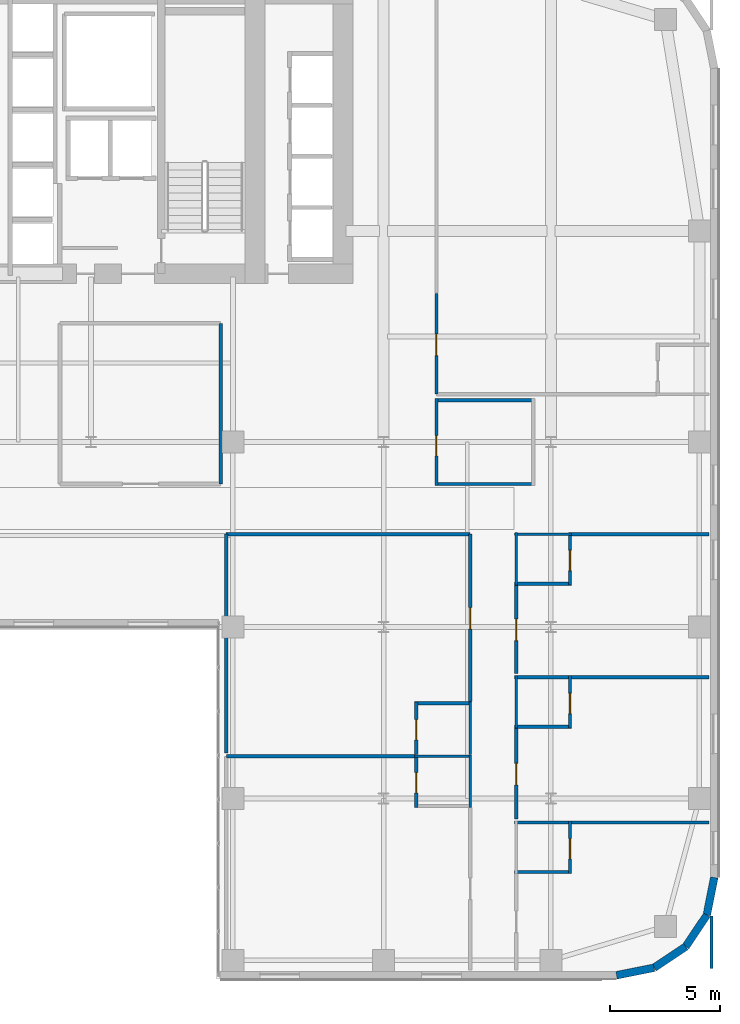
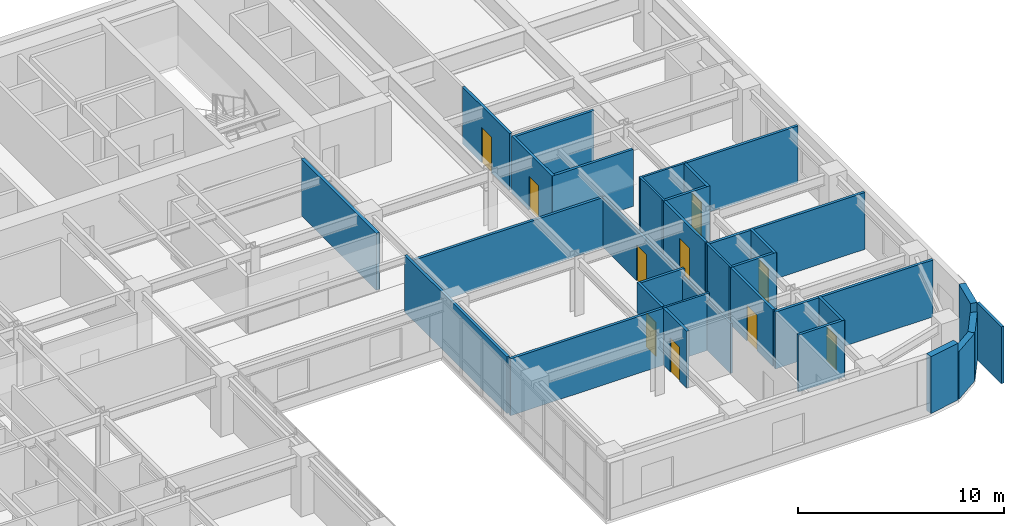
# One storey, part 16 of 25: 36 walls, 10 doors, 10 openings.
"""IFC4 building model written with IfcOpenShell, lengths in metres."""

from ifc_helpers import new_model, si_unit, direction, frame, frame_2d, origin, place, context, subcontext, project, spatial, rectangle, extrude, source, transform, mapped, material, layer, layer_set, type_object, type_shapes, element, fill, save


model = new_model("IFC4")

# Units and contexts
model_context = context("Model", 3, precision=1e-05, world=origin(), true_north=direction((0.0, 1.0)))
body_context = subcontext(model_context, "Body", "Model", "MODEL_VIEW")
ifc_project = project(units=[si_unit("LENGTHUNIT", "METRE"), si_unit("AREAUNIT", "SQUARE_METRE"), si_unit("VOLUMEUNIT", "CUBIC_METRE"), si_unit("PLANEANGLEUNIT", "RADIAN"), si_unit("MASSUNIT", "GRAM", prefix="KILO")], contexts=[model_context])

# Site, building, storey
site_placement = place(None, origin())
site = spatial("IfcSite", under=ifc_project, at=site_placement, CompositionType="ELEMENT")
building_placement = place(site_placement, origin())
building = spatial("IfcBuilding", under=site, at=building_placement, Name="Tolvann Quenvar Hotel", CompositionType="ELEMENT")
storey_placement = place(building_placement, frame((0.0, 0.0, 60.39990234375)))
storey = spatial("IfcBuildingStorey", under=building, at=storey_placement, Name="L14", CompositionType="ELEMENT", Elevation=60.39990234375)

# Walls
ifc_material_1 = material(Name="Kiln-fired red and buff architectural clay brickwork and terracotta masonry", Category="masonry")
ifc_layer_1 = layer(ifc_material_1, 0.35009765625)
ifc_layer_set_1 = layer_set([ifc_layer_1], Name="Kiln-fired red and buff architectural clay brickwork and terracotta masonry")
wall_type_1 = type_object("IfcWallType", Name="WALL_EXT_BRICK_350", PredefinedType="SOLIDWALL", material=ifc_layer_set_1)
wall_1_placement = place(storey_placement, frame((52.3828125, 0.175048828125, 0.0), z_axis=(0.0, 0.0, 1.0), x_axis=(0.980800971659, 0.195011420161, 0.0)))
element("IfcWall", 1, at=wall_1_placement, inside=storey, type_object=wall_type_1, Name="Exterior Chicago Brick Wall L14-E09", PredefinedType="SOLIDWALL", context=body_context, shape_type="SweptSolid", body=[
    extrude(rectangle(XDim=1.74267578125, YDim=0.35009765625, at=frame_2d((0.871337890625, 0.0))), origin(), (0.0, 0.0, 1.0), 3.3701171875),
])
for number, where, z_axis, x_axis, name in (
    (2, (54.092041015625, 0.514892578125, 0.0), (0.0, 0.0, 1.0), (0.831483840845, 0.55554893791, 0.0), "Exterior Chicago Brick Wall L14-E10"),
    (3, (55.526611328125, 1.473388671875, 0.0), (0.0, 0.0, 1.0), (0.55554893791, 0.831483840845, 0.0), "Exterior Chicago Brick Wall L14-E11"),
):
    element("IfcWall", number, at=place(storey_placement, frame(where, z_axis=z_axis, x_axis=x_axis)), inside=storey, type_object=wall_type_1, Name=name, PredefinedType="SOLIDWALL", context=body_context, shape_type="SweptSolid", body=[
        extrude(rectangle(XDim=1.725341796875, YDim=0.35009765625, at=frame_2d((0.86279296875, 0.0))), origin(), (0.0, 0.0, 1.0), 2.83203125),
    ])
wall_2_placement = place(storey_placement, frame((56.485107421875, 2.907958984375, 0.0), z_axis=(0.0, 0.0, 1.0), x_axis=(0.195011420161, 0.980800971659, 0.0)))
element("IfcWall", 4, at=wall_2_placement, inside=storey, type_object=wall_type_1, Name="Exterior Chicago Brick Wall L14-E12", PredefinedType="SOLIDWALL", context=body_context, shape_type="SweptSolid", body=[
    extrude(rectangle(XDim=1.74267578125, YDim=0.35009765625, at=frame_2d((0.871337890625, 0.0))), origin(), (0.0, 0.0, 1.0), 3.3701171875),
])
ifc_material_2 = material(Name="Acoustic twin-stud fire-rated gypsum plasterboard partition")
ifc_layer_2 = layer(ifc_material_2, 0.179931640625)
ifc_layer_set_2 = layer_set([ifc_layer_2], Name="Acoustic twin-stud fire-rated gypsum plasterboard partition")
wall_type_2 = type_object("IfcWallType", Name="WALL_PART_ACOUSTIC_180", PredefinedType="PARTITIONING", material=ifc_layer_set_2)
wall_3_placement = place(storey_placement, frame((34.39990234375, 22.5, 0.0), z_axis=(0.0, 0.0, 1.0), x_axis=(0.0, 1.0, 0.0)))
element("IfcWall", 5, at=wall_3_placement, inside=storey, type_object=wall_type_2, Name="Interior Partition PT-SPC-L14-MSP-C-E", PredefinedType="PARTITIONING", context=body_context, shape_type="SweptSolid", body=[
    extrude(rectangle(XDim=7.300048828125, YDim=0.179931640625, at=frame_2d((3.64990234375, 0.0))), origin(), (0.0, 0.0, 1.0), 3.3701171875),
])
ifc_material_3 = material(Name="Moisture-resistant acoustic plumbing wall assembly")
ifc_layer_3 = layer(ifc_material_3, 0.1201171875)
ifc_layer_set_3 = layer_set([ifc_layer_3], Name="Moisture-resistant acoustic plumbing wall assembly")
wall_type_3 = type_object("IfcWallType", Name="WALL_PART_BATH_120", PredefinedType="PLUMBINGWALL", material=ifc_layer_set_3)
wall_4_placement = place(storey_placement, frame((43.2099609375, 10.1201171875, 0.0), z_axis=(0.0, 0.0, 1.0), x_axis=(1.0, 0.0, 0.0)))
element("IfcWall", 6, at=wall_4_placement, inside=storey, type_object=wall_type_3, Name="Non-Rated Plumbing Partition PT-SPC-L14-ENS-EI01-N", PredefinedType="PLUMBINGWALL", context=body_context, shape_type="SweptSolid", body=[
    extrude(rectangle(XDim=2.590087890625, YDim=0.1201171875, at=frame_2d((1.294921875, 0.0))), origin(), (0.0, 0.0, 1.0), 3.3701171875),
])
wall_5_placement = place(storey_placement, frame((45.72998046875, 7.800048828125, 0.0), z_axis=(0.0, 0.0, 1.0), x_axis=(0.0, 1.0, 0.0)))
element("IfcWall", 7, at=wall_5_placement, inside=storey, type_object=wall_type_3, Name="Non-Rated Plumbing Partition PT-SPC-L14-ENS-EI01-E", PredefinedType="PLUMBINGWALL", context=body_context, shape_type="SweptSolid", body=[
    extrude(rectangle(XDim=2.389892578125, YDim=0.1201171875, at=frame_2d((1.19482421875, 0.0))), origin(), (0.0, 0.0, 1.0), 2.9541015625),
])
wall_6_placement = place(storey_placement, frame((45.72998046875, 10.2099609375, 0.0), z_axis=(0.0, 0.0, 1.0), x_axis=(0.0, 1.0, 0.0)))
element("IfcWall", 8, at=wall_6_placement, inside=storey, type_object=wall_type_3, Name="Non-Rated Plumbing Partition PT-SPC-L14-ENS-EI02-E", PredefinedType="PLUMBINGWALL", context=body_context, shape_type="SweptSolid", body=[
    extrude(rectangle(XDim=2.39013671875, YDim=0.1201171875, at=frame_2d((1.195068359375, 0.0))), origin(), (0.0, 0.0, 1.0), 2.9541015625),
])
wall_7_placement = place(storey_placement, frame((47.820068359375, 11.39990234375, 0.0), z_axis=(0.0, 0.0, 1.0), x_axis=(0.0, 1.0, 0.0)))
element("IfcWall", 9, at=wall_7_placement, inside=storey, type_object=wall_type_3, Name="Non-Rated Plumbing Partition PT-SPC-L14-ENS-EO02-W", PredefinedType="PLUMBINGWALL", context=body_context, shape_type="SweptSolid", body=[
    extrude(rectangle(XDim=2.39013671875, YDim=0.1201171875, at=frame_2d((1.195068359375, 0.0))), origin(), (0.0, 0.0, 1.0), 3.3701171875),
])
wall_8_placement = place(storey_placement, frame((47.75, 20.219970703125, 0.0), z_axis=(0.0, 0.0, 1.0), x_axis=(1.0, 0.0, 0.0)))
element("IfcWall", 10, at=wall_8_placement, inside=storey, type_object=wall_type_3, Name="Non-Rated Plumbing Partition PT-SPC-L14-ENS-EO03-N", PredefinedType="PLUMBINGWALL", context=body_context, shape_type="SweptSolid", body=[
    extrude(rectangle(XDim=2.590087890625, YDim=0.1201171875, at=frame_2d((1.294921875, 0.0))), origin(), (0.0, 0.0, 1.0), 3.3701171875),
])
wall_9_placement = place(storey_placement, frame((47.820068359375, 17.89990234375, 0.0), z_axis=(0.0, 0.0, 1.0), x_axis=(0.0, 1.0, 0.0)))
element("IfcWall", 11, at=wall_9_placement, inside=storey, type_object=wall_type_3, Name="Non-Rated Plumbing Partition PT-SPC-L14-ENS-EO03-W", PredefinedType="PLUMBINGWALL", context=body_context, shape_type="SweptSolid", body=[
    extrude(rectangle(XDim=2.39013671875, YDim=0.1201171875, at=frame_2d((1.195068359375, 0.0))), origin(), (0.0, 0.0, 1.0), 3.3701171875),
])

# Wall, opening, door
ifc_layer_4 = layer(ifc_material_2, 0.14990234375)
ifc_layer_set_4 = layer_set([ifc_layer_4], Name="Acoustic twin-stud fire-rated gypsum plasterboard partition")
wall_type_4 = type_object("IfcWallType", Name="WALL_PART_SUITE_150", PredefinedType="PARTITIONING", material=ifc_layer_set_4)
wall_10_placement = place(storey_placement, frame((43.280029296875, 7.800048828125, 0.0), z_axis=(0.0, 0.0, 1.0), x_axis=(0.0, 1.0, 0.0)))
wall_10 = element("IfcWall", 12, at=wall_10_placement, inside=storey, type_object=wall_type_4, Name="Interior Partition PT-SPC-L14-ENS-EI01-ENT", PredefinedType="PARTITIONING", context=body_context, shape_type="SweptSolid", body=[
    extrude(rectangle(XDim=2.389892578125, YDim=0.14990234375, at=frame_2d((1.19482421875, 0.0))), origin(), (0.0, 0.0, 1.0), 3.3701171875),
])
opening_1_placement = place(wall_10_placement, frame((0.6650390625, 0.0, 0.0)))
opening_1 = element("IfcOpeningElement", 13, at=opening_1_placement, cuts=wall_10, Name="Opening WD-01", PredefinedType="OPENING", context=body_context, shape_type="SweptSolid", body=[
    extrude(rectangle(XDim=0.919921875, YDim=2.010009765625, at=frame_2d((0.4599609375, 1.0048828125))), frame((0.0, 0.0849609375, 0.0), z_axis=(0.0, -1.0, 0.0), x_axis=(1.0, 0.0, 0.0)), (0.0, 0.0, 1.0), 0.169921875),
])
ifc_material_4 = material(Name="Solid-core American oak acoustic fire door leaf in steel frame", Category="steel")
door_type_1 = type_object("IfcDoorType", Name="DOOR_WC_920", OperationType="NOTDEFINED", PredefinedType="DOOR", material=ifc_material_4)
shared_shape_1 = source(origin(), body_context, "Body", "SweptSolid", [
    extrude(rectangle(XDim=0.919921875, YDim=2.010009765625, at=frame_2d((0.4599609375, 1.0048828125))), frame((0.0, 0.02490234375, 0.0), z_axis=(0.0, -1.0, 0.0), x_axis=(1.0, 0.0, 0.0)), (0.0, 0.0, 1.0), 0.050048828125),
])
type_shapes(door_type_1, [shared_shape_1])
door_1_placement = place(opening_1_placement, origin())
door_1 = element("IfcDoor", 14, at=door_1_placement, inside=storey, type_object=door_type_1, Name="Interior Door DOOR-SPC-L14-ENS-EI01", OperationType="SINGLE_SWING_RIGHT", OverallHeight=2.010009765625, OverallWidth=0.919921875, PredefinedType="DOOR", context=body_context, shape_type="MappedRepresentation", body=[
    mapped(shared_shape_1, transform((0.0, 0.0, 0.0), x_axis=(1.0, 0.0, 0.0), y_axis=(0.0, 1.0, 0.0), z_axis=(0.0, 0.0, 1.0), scale=1.0)),
])
fill(opening_1, door_1)

wall_11_placement = place(storey_placement, frame((43.280029296875, 10.2099609375, 0.0), z_axis=(0.0, 0.0, 1.0), x_axis=(0.0, 1.0, 0.0)))
wall_11 = element("IfcWall", 15, at=wall_11_placement, inside=storey, type_object=wall_type_4, Name="Interior Partition PT-SPC-L14-ENS-EI02-ENT", PredefinedType="PARTITIONING", context=body_context, shape_type="SweptSolid", body=[
    extrude(rectangle(XDim=2.39013671875, YDim=0.14990234375, at=frame_2d((1.195068359375, 0.0))), origin(), (0.0, 0.0, 1.0), 3.3701171875),
])
opening_2_placement = place(wall_11_placement, frame((0.6650390625, 0.0, 0.0)))
opening_2 = element("IfcOpeningElement", 16, at=opening_2_placement, cuts=wall_11, Name="Opening WD-01", PredefinedType="OPENING", context=body_context, shape_type="SweptSolid", body=[
    extrude(rectangle(XDim=0.919921875, YDim=2.010009765625, at=frame_2d((0.4599609375, 1.0048828125))), frame((0.0, 0.0849609375, 0.0), z_axis=(0.0, -1.0, 0.0), x_axis=(1.0, 0.0, 0.0)), (0.0, 0.0, 1.0), 0.169921875),
])
door_2_placement = place(opening_2_placement, origin())
door_2 = element("IfcDoor", 17, at=door_2_placement, inside=storey, type_object=door_type_1, Name="Interior Door DOOR-SPC-L14-ENS-EI02", OperationType="SINGLE_SWING_LEFT", OverallHeight=2.010009765625, OverallWidth=0.919921875, PredefinedType="DOOR", context=body_context, shape_type="MappedRepresentation", body=[
    mapped(shared_shape_1, transform((0.0, 0.0, 0.0), x_axis=(1.0, 0.0, 0.0), y_axis=(0.0, 1.0, 0.0), z_axis=(0.0, 0.0, 1.0), scale=1.0)),
])
fill(opening_2, door_2)

# Wall
wall_12_placement = place(storey_placement, frame((43.2099609375, 12.530029296875, 0.0), z_axis=(0.0, 0.0, 1.0), x_axis=(1.0, 0.0, 0.0)))
element("IfcWall", 18, at=wall_12_placement, inside=storey, type_object=wall_type_4, Name="Interior Partition PT-SPC-L14-ENS-EI02-N", PredefinedType="PARTITIONING", context=body_context, shape_type="SweptSolid", body=[
    extrude(rectangle(XDim=2.590087890625, YDim=0.14990234375, at=frame_2d((1.294921875, 0.0))), origin(), (0.0, 0.0, 1.0), 3.3701171875),
])

# Wall, opening, door
wall_13_placement = place(storey_placement, frame((50.27001953125, 4.800048828125, 0.0), z_axis=(0.0, 0.0, 1.0), x_axis=(0.0, 1.0, 0.0)))
wall_13 = element("IfcWall", 19, at=wall_13_placement, inside=storey, type_object=wall_type_4, Name="Interior Partition PT-SPC-L14-ENS-EO01-ENT", PredefinedType="PARTITIONING", context=body_context, shape_type="SweptSolid", body=[
    extrude(rectangle(XDim=2.389892578125, YDim=0.14990234375, at=frame_2d((1.19482421875, 0.0))), origin(), (0.0, 0.0, 1.0), 3.3701171875),
])
opening_3_placement = place(wall_13_placement, frame((0.6650390625, 0.0, 0.0)))
opening_3 = element("IfcOpeningElement", 20, at=opening_3_placement, cuts=wall_13, Name="Opening WD-01", PredefinedType="OPENING", context=body_context, shape_type="SweptSolid", body=[
    extrude(rectangle(XDim=0.919921875, YDim=2.010009765625, at=frame_2d((0.4599609375, 1.0048828125))), frame((0.0, 0.0849609375, 0.0), z_axis=(0.0, -1.0, 0.0), x_axis=(1.0, 0.0, 0.0)), (0.0, 0.0, 1.0), 0.169921875),
])
door_3_placement = place(opening_3_placement, origin())
door_3 = element("IfcDoor", 21, at=door_3_placement, inside=storey, type_object=door_type_1, Name="Interior Door DOOR-SPC-L14-ENS-EO01", OperationType="SINGLE_SWING_RIGHT", OverallHeight=2.010009765625, OverallWidth=0.919921875, PredefinedType="DOOR", context=body_context, shape_type="MappedRepresentation", body=[
    mapped(shared_shape_1, transform((0.0, 0.0, 0.0), x_axis=(1.0, 0.0, 0.0), y_axis=(0.0, 1.0, 0.0), z_axis=(0.0, 0.0, 1.0), scale=1.0)),
])
fill(opening_3, door_3)

# Walls
for number, where, z_axis, x_axis, name in (
    (22, (47.75, 4.8701171875, 0.0), (0.0, 0.0, 1.0), (1.0, 0.0, 0.0), "Interior Partition PT-SPC-L14-ENS-EO01-S"),
    (23, (47.75, 7.1201171875, 0.0), (0.0, 0.0, 1.0), (1.0, 0.0, 0.0), "Interior Partition PT-SPC-L14-ENS-EO01-N"),
):
    element("IfcWall", number, at=place(storey_placement, frame(where, z_axis=z_axis, x_axis=x_axis)), inside=storey, type_object=wall_type_4, Name=name, PredefinedType="PARTITIONING", context=body_context, shape_type="SweptSolid", body=[
        extrude(rectangle(XDim=2.590087890625, YDim=0.14990234375, at=frame_2d((1.294921875, 0.0))), origin(), (0.0, 0.0, 1.0), 3.3701171875),
    ])

# Wall, opening, door
wall_14_placement = place(storey_placement, frame((50.27001953125, 11.39990234375, 0.0), z_axis=(0.0, 0.0, 1.0), x_axis=(0.0, 1.0, 0.0)))
wall_14 = element("IfcWall", 24, at=wall_14_placement, inside=storey, type_object=wall_type_4, Name="Interior Partition PT-SPC-L14-ENS-EO02-ENT", PredefinedType="PARTITIONING", context=body_context, shape_type="SweptSolid", body=[
    extrude(rectangle(XDim=2.39013671875, YDim=0.14990234375, at=frame_2d((1.195068359375, 0.0))), origin(), (0.0, 0.0, 1.0), 3.3701171875),
])
opening_4_placement = place(wall_14_placement, frame((0.6650390625, 0.0, 0.0)))
opening_4 = element("IfcOpeningElement", 25, at=opening_4_placement, cuts=wall_14, Name="Opening WD-01", PredefinedType="OPENING", context=body_context, shape_type="SweptSolid", body=[
    extrude(rectangle(XDim=0.919921875, YDim=2.010009765625, at=frame_2d((0.4599609375, 1.0048828125))), frame((0.0, 0.0849609375, 0.0), z_axis=(0.0, -1.0, 0.0), x_axis=(1.0, 0.0, 0.0)), (0.0, 0.0, 1.0), 0.169921875),
])
door_4_placement = place(opening_4_placement, origin())
door_4 = element("IfcDoor", 26, at=door_4_placement, inside=storey, type_object=door_type_1, Name="Interior Door DOOR-SPC-L14-ENS-EO02", OperationType="SINGLE_SWING_LEFT", OverallHeight=2.010009765625, OverallWidth=0.919921875, PredefinedType="DOOR", context=body_context, shape_type="MappedRepresentation", body=[
    mapped(shared_shape_1, transform((0.0, 0.0, 0.0), x_axis=(1.0, 0.0, 0.0), y_axis=(0.0, 1.0, 0.0), z_axis=(0.0, 0.0, 1.0), scale=1.0)),
])
fill(opening_4, door_4)

# Walls
for number, where, z_axis, x_axis, name in (
    (27, (47.75, 11.469970703125, 0.0), (0.0, 0.0, 1.0), (1.0, 0.0, 0.0), "Interior Partition PT-SPC-L14-ENS-EO02-S"),
    (28, (47.75, 13.719970703125, 0.0), (0.0, 0.0, 1.0), (1.0, 0.0, 0.0), "Interior Partition PT-SPC-L14-ENS-EO02-N"),
):
    element("IfcWall", number, at=place(storey_placement, frame(where, z_axis=z_axis, x_axis=x_axis)), inside=storey, type_object=wall_type_4, Name=name, PredefinedType="PARTITIONING", context=body_context, shape_type="SweptSolid", body=[
        extrude(rectangle(XDim=2.590087890625, YDim=0.14990234375, at=frame_2d((1.294921875, 0.0))), origin(), (0.0, 0.0, 1.0), 3.3701171875),
    ])

# Wall, opening, door
wall_15_placement = place(storey_placement, frame((50.27001953125, 17.89990234375, 0.0), z_axis=(0.0, 0.0, 1.0), x_axis=(0.0, 1.0, 0.0)))
wall_15 = element("IfcWall", 29, at=wall_15_placement, inside=storey, type_object=wall_type_4, Name="Interior Partition PT-SPC-L14-ENS-EO03-ENT", PredefinedType="PARTITIONING", context=body_context, shape_type="SweptSolid", body=[
    extrude(rectangle(XDim=2.39013671875, YDim=0.14990234375, at=frame_2d((1.195068359375, 0.0))), origin(), (0.0, 0.0, 1.0), 3.3701171875),
])
opening_5_placement = place(wall_15_placement, frame((0.6650390625, 0.0, 0.0)))
opening_5 = element("IfcOpeningElement", 30, at=opening_5_placement, cuts=wall_15, Name="Opening WD-01", PredefinedType="OPENING", context=body_context, shape_type="SweptSolid", body=[
    extrude(rectangle(XDim=0.919921875, YDim=2.010009765625, at=frame_2d((0.4599609375, 1.0048828125))), frame((0.0, 0.0849609375, 0.0), z_axis=(0.0, -1.0, 0.0), x_axis=(1.0, 0.0, 0.0)), (0.0, 0.0, 1.0), 0.169921875),
])
door_5_placement = place(opening_5_placement, origin())
door_5 = element("IfcDoor", 31, at=door_5_placement, inside=storey, type_object=door_type_1, Name="Interior Door DOOR-SPC-L14-ENS-EO03", OperationType="SINGLE_SWING_RIGHT", OverallHeight=2.010009765625, OverallWidth=0.919921875, PredefinedType="DOOR", context=body_context, shape_type="MappedRepresentation", body=[
    mapped(shared_shape_1, transform((0.0, 0.0, 0.0), x_axis=(1.0, 0.0, 0.0), y_axis=(0.0, 1.0, 0.0), z_axis=(0.0, 0.0, 1.0), scale=1.0)),
])
fill(opening_5, door_5)

# Walls
wall_16_placement = place(storey_placement, frame((47.75, 17.969970703125, 0.0), z_axis=(0.0, 0.0, 1.0), x_axis=(1.0, 0.0, 0.0)))
element("IfcWall", 32, at=wall_16_placement, inside=storey, type_object=wall_type_4, Name="Interior Partition PT-SPC-L14-ENS-EO03-S", PredefinedType="PARTITIONING", context=body_context, shape_type="SweptSolid", body=[
    extrude(rectangle(XDim=2.590087890625, YDim=0.14990234375, at=frame_2d((1.294921875, 0.0))), origin(), (0.0, 0.0, 1.0), 3.3701171875),
])
wall_17_placement = place(storey_placement, frame((34.64990234375, 10.1201171875, 0.0), z_axis=(0.0, 0.0, 1.0), x_axis=(1.0, 0.0, 0.0)))
element("IfcWall", 33, at=wall_17_placement, inside=storey, type_object=wall_type_4, Name="Interior Partition PT-SPC-L14-RM-EI01-E5", PredefinedType="PARTITIONING", context=body_context, shape_type="SweptSolid", body=[
    extrude(rectangle(XDim=8.610107421875, YDim=0.14990234375, at=frame_2d((4.30517578125, 0.0))), origin(), (0.0, 0.0, 1.0), 3.3701171875),
])

# Wall, opening, door
wall_18_placement = place(storey_placement, frame((45.72998046875, 12.610107421875, 0.0), z_axis=(0.0, 0.0, 1.0), x_axis=(0.0, 1.0, 0.0)))
wall_18 = element("IfcWall", 34, at=wall_18_placement, inside=storey, type_object=wall_type_4, Name="Interior Partition PT-SPC-L14-RM-EI02-ENT", PredefinedType="PARTITIONING", context=body_context, shape_type="SweptSolid", body=[
    extrude(rectangle(XDim=7.60986328125, YDim=0.14990234375, at=frame_2d((3.804931640625, 0.0))), origin(), (0.0, 0.0, 1.0), 2.9541015625),
])
opening_6_placement = place(wall_18_placement, frame((3.294921875, 0.0, 0.0)))
opening_6 = element("IfcOpeningElement", 35, at=opening_6_placement, cuts=wall_18, Name="Opening SD-01", PredefinedType="OPENING", context=body_context, shape_type="SweptSolid", body=[
    extrude(rectangle(XDim=0.97998046875, YDim=2.1201171875, at=frame_2d((0.489990234375, 1.06005859375))), frame((0.0, 0.0849609375, 0.0), z_axis=(0.0, -1.0, 0.0), x_axis=(1.0, 0.0, 0.0)), (0.0, 0.0, 1.0), 0.169921875),
])
door_type_2 = type_object("IfcDoorType", Name="DOOR_SUITE_980", OperationType="NOTDEFINED", PredefinedType="DOOR", material=ifc_material_4)
shared_shape_2 = source(origin(), body_context, "Body", "SweptSolid", [
    extrude(rectangle(XDim=0.97998046875, YDim=2.1201171875, at=frame_2d((0.489990234375, 1.06005859375))), frame((0.0, 0.02490234375, 0.0), z_axis=(0.0, -1.0, 0.0), x_axis=(1.0, 0.0, 0.0)), (0.0, 0.0, 1.0), 0.050048828125),
])
type_shapes(door_type_2, [shared_shape_2])
door_6_placement = place(opening_6_placement, origin())
door_6 = element("IfcDoor", 36, at=door_6_placement, inside=storey, type_object=door_type_2, Name="Interior Door DOOR-SPC-L14-RM-EI02", OperationType="SINGLE_SWING_LEFT", OverallHeight=2.1201171875, OverallWidth=0.97998046875, PredefinedType="DOOR", context=body_context, shape_type="MappedRepresentation", body=[
    mapped(shared_shape_2, transform((0.0, 0.0, 0.0), x_axis=(1.0, 0.0, 0.0), y_axis=(0.0, 1.0, 0.0), z_axis=(0.0, 0.0, 1.0), scale=1.0)),
])
fill(opening_6, door_6)

# Walls
wall_19_placement = place(storey_placement, frame((34.64990234375, 20.219970703125, 0.0), z_axis=(0.0, 0.0, 1.0), x_axis=(1.0, 0.0, 0.0)))
element("IfcWall", 37, at=wall_19_placement, inside=storey, type_object=wall_type_4, Name="Interior Partition PT-SPC-L14-RM-EI02-E5", PredefinedType="PARTITIONING", context=body_context, shape_type="SweptSolid", body=[
    extrude(rectangle(XDim=11.080078125, YDim=0.14990234375, at=frame_2d((5.5400390625, 0.0))), origin(), (0.0, 0.0, 1.0), 2.9541015625),
])
wall_20_placement = place(storey_placement, frame((34.64990234375, 10.280029296875, 0.0), z_axis=(0.0, 0.0, 1.0), x_axis=(0.0, 1.0, 0.0)))
element("IfcWall", 38, at=wall_20_placement, inside=storey, type_object=wall_type_4, Name="Interior Partition PT-SPC-L14-RM-EI02-E6", PredefinedType="PARTITIONING", context=body_context, shape_type="SweptSolid", body=[
    extrude(rectangle(XDim=9.93994140625, YDim=0.14990234375, at=frame_2d((4.969970703125, 0.0))), origin(), (0.0, 0.0, 1.0), 3.3701171875),
])
wall_21_placement = place(storey_placement, frame((56.699951171875, 0.47998046875, 0.0), z_axis=(0.0, 0.0, 1.0), x_axis=(0.0, 1.0, 0.0)))
element("IfcWall", 39, at=wall_21_placement, inside=storey, type_object=wall_type_4, Name="Interior Partition PT-SPC-L14-RM-EO01-E2", PredefinedType="PARTITIONING", context=body_context, shape_type="SweptSolid", body=[
    extrude(rectangle(XDim=2.385009765625, YDim=0.14990234375, at=frame_2d((1.1923828125, 0.0))), origin(), (0.0, 0.0, 1.0), 3.3701171875),
])
wall_22_placement = place(storey_placement, frame((50.2900390625, 7.1201171875, 0.0), z_axis=(0.0, 0.0, 1.0), x_axis=(1.0, 0.0, 0.0)))
element("IfcWall", 40, at=wall_22_placement, inside=storey, type_object=wall_type_4, Name="Interior Partition PT-SPC-L14-RM-EO01-E3", PredefinedType="PARTITIONING", context=body_context, shape_type="SweptSolid", body=[
    extrude(rectangle(XDim=6.304931640625, YDim=0.14990234375, at=frame_2d((3.15234375, 0.0))), origin(), (0.0, 0.0, 1.0), 3.3701171875),
])

# Wall, opening, door
wall_23_placement = place(storey_placement, frame((47.820068359375, 7.280029296875, 0.0), z_axis=(0.0, 0.0, 1.0), x_axis=(0.0, 1.0, 0.0)))
wall_23 = element("IfcWall", 41, at=wall_23_placement, inside=storey, type_object=wall_type_4, Name="Interior Partition PT-SPC-L14-RM-EO02-ENT", PredefinedType="PARTITIONING", context=body_context, shape_type="SweptSolid", body=[
    extrude(rectangle(XDim=4.10986328125, YDim=0.14990234375, at=frame_2d((2.054931640625, 0.0))), origin(), (0.0, 0.0, 1.0), 3.3701171875),
])
opening_7_placement = place(wall_23_placement, frame((1.544921875, 0.0, 0.0)))
opening_7 = element("IfcOpeningElement", 42, at=opening_7_placement, cuts=wall_23, Name="Opening SD-01", PredefinedType="OPENING", context=body_context, shape_type="SweptSolid", body=[
    extrude(rectangle(XDim=0.97998046875, YDim=2.1201171875, at=frame_2d((0.489990234375, 1.06005859375))), frame((0.0, 0.0849609375, 0.0), z_axis=(0.0, -1.0, 0.0), x_axis=(1.0, 0.0, 0.0)), (0.0, 0.0, 1.0), 0.169921875),
])
door_7_placement = place(opening_7_placement, origin())
door_7 = element("IfcDoor", 43, at=door_7_placement, inside=storey, type_object=door_type_2, Name="Interior Door DOOR-SPC-L14-RM-EO02", OperationType="SINGLE_SWING_LEFT", OverallHeight=2.1201171875, OverallWidth=0.97998046875, PredefinedType="DOOR", context=body_context, shape_type="MappedRepresentation", body=[
    mapped(shared_shape_2, transform((0.0, 0.0, 0.0), x_axis=(1.0, 0.0, 0.0), y_axis=(0.0, 1.0, 0.0), z_axis=(0.0, 0.0, 1.0), scale=1.0)),
])
fill(opening_7, door_7)

# Wall
wall_24_placement = place(storey_placement, frame((50.2900390625, 13.719970703125, 0.0), z_axis=(0.0, 0.0, 1.0), x_axis=(1.0, 0.0, 0.0)))
element("IfcWall", 44, at=wall_24_placement, inside=storey, type_object=wall_type_4, Name="Interior Partition PT-SPC-L14-RM-EO02-E3", PredefinedType="PARTITIONING", context=body_context, shape_type="SweptSolid", body=[
    extrude(rectangle(XDim=6.304931640625, YDim=0.14990234375, at=frame_2d((3.15234375, 0.0))), origin(), (0.0, 0.0, 1.0), 3.3701171875),
])

# Wall, opening, door
wall_25_placement = place(storey_placement, frame((47.820068359375, 13.8798828125, 0.0), z_axis=(0.0, 0.0, 1.0), x_axis=(0.0, 1.0, 0.0)))
wall_25 = element("IfcWall", 45, at=wall_25_placement, inside=storey, type_object=wall_type_4, Name="Interior Partition PT-SPC-L14-RM-EO03-ENT", PredefinedType="PARTITIONING", context=body_context, shape_type="SweptSolid", body=[
    extrude(rectangle(XDim=4.010009765625, YDim=0.14990234375, at=frame_2d((2.0048828125, 0.0))), origin(), (0.0, 0.0, 1.0), 3.3701171875),
])
opening_8_placement = place(wall_25_placement, frame((1.4951171875, 0.0, 0.0)))
opening_8 = element("IfcOpeningElement", 46, at=opening_8_placement, cuts=wall_25, Name="Opening SD-01", PredefinedType="OPENING", context=body_context, shape_type="SweptSolid", body=[
    extrude(rectangle(XDim=0.97998046875, YDim=2.1201171875, at=frame_2d((0.489990234375, 1.06005859375))), frame((0.0, 0.0849609375, 0.0), z_axis=(0.0, -1.0, 0.0), x_axis=(1.0, 0.0, 0.0)), (0.0, 0.0, 1.0), 0.169921875),
])
door_8_placement = place(opening_8_placement, origin())
door_8 = element("IfcDoor", 47, at=door_8_placement, inside=storey, type_object=door_type_2, Name="Interior Door DOOR-SPC-L14-RM-EO03", OperationType="SINGLE_SWING_RIGHT", OverallHeight=2.1201171875, OverallWidth=0.97998046875, PredefinedType="DOOR", context=body_context, shape_type="MappedRepresentation", body=[
    mapped(shared_shape_2, transform((0.0, 0.0, 0.0), x_axis=(1.0, 0.0, 0.0), y_axis=(0.0, 1.0, 0.0), z_axis=(0.0, 0.0, 1.0), scale=1.0)),
])
fill(opening_8, door_8)

# Wall
wall_26_placement = place(storey_placement, frame((50.2900390625, 20.219970703125, 0.0), z_axis=(0.0, 0.0, 1.0), x_axis=(1.0, 0.0, 0.0)))
element("IfcWall", 48, at=wall_26_placement, inside=storey, type_object=wall_type_4, Name="Interior Partition PT-SPC-L14-RM-EO03-E3", PredefinedType="PARTITIONING", context=body_context, shape_type="SweptSolid", body=[
    extrude(rectangle(XDim=6.304931640625, YDim=0.14990234375, at=frame_2d((3.15234375, 0.0))), origin(), (0.0, 0.0, 1.0), 3.3701171875),
])

# Wall, opening, door
wall_27_placement = place(storey_placement, frame((44.199951171875, 22.429931640625, 0.0), z_axis=(0.0, 0.0, 1.0), x_axis=(0.0, 1.0, 0.0)))
wall_27 = element("IfcWall", 49, at=wall_27_placement, inside=storey, type_object=wall_type_4, Name="Interior Partition PT-SPC-L14-WCA-ENT", PredefinedType="PARTITIONING", context=body_context, shape_type="SweptSolid", body=[
    extrude(rectangle(XDim=3.940185546875, YDim=0.14990234375, at=frame_2d((1.97021484375, 0.0))), origin(), (0.0, 0.0, 1.0), 3.3701171875),
])
opening_9_placement = place(wall_27_placement, frame((1.340087890625, 0.0, 0.0)))
opening_9 = element("IfcOpeningElement", 50, at=opening_9_placement, cuts=wall_27, Name="Opening WD-01", PredefinedType="OPENING", context=body_context, shape_type="SweptSolid", body=[
    extrude(rectangle(XDim=0.919921875, YDim=2.010009765625, at=frame_2d((0.4599609375, 1.0048828125))), frame((0.0, 0.0849609375, 0.0), z_axis=(0.0, -1.0, 0.0), x_axis=(1.0, 0.0, 0.0)), (0.0, 0.0, 1.0), 0.169921875),
])
door_9_placement = place(opening_9_placement, origin())
door_9 = element("IfcDoor", 51, at=door_9_placement, inside=storey, type_object=door_type_1, Name="Interior Door DOOR-SPC-L14-WCA", OperationType="SINGLE_SWING_LEFT", OverallHeight=2.010009765625, OverallWidth=0.919921875, PredefinedType="DOOR", context=body_context, shape_type="MappedRepresentation", body=[
    mapped(shared_shape_1, transform((0.0, 0.0, 0.0), x_axis=(1.0, 0.0, 0.0), y_axis=(0.0, 1.0, 0.0), z_axis=(0.0, 0.0, 1.0), scale=1.0)),
])
fill(opening_9, door_9)

# Walls
for number, where, z_axis, x_axis, name in (
    (52, (44.1298828125, 22.5, 0.0), (0.0, 0.0, 1.0), (1.0, 0.0, 0.0), "Interior Partition PT-SPC-L14-WCA-S"),
    (53, (44.1298828125, 26.300048828125, 0.0), (0.0, 0.0, 1.0), (1.0, 0.0, 0.0), "Interior Partition PT-SPC-L14-WCA-N"),
):
    element("IfcWall", number, at=place(storey_placement, frame(where, z_axis=z_axis, x_axis=x_axis)), inside=storey, type_object=wall_type_4, Name=name, PredefinedType="PARTITIONING", context=body_context, shape_type="SweptSolid", body=[
        extrude(rectangle(XDim=4.5400390625, YDim=0.14990234375, at=frame_2d((2.27001953125, 0.0))), origin(), (0.0, 0.0, 1.0), 3.3701171875),
    ])

# Wall, opening, door
wall_28_placement = place(storey_placement, frame((44.199951171875, 26.580078125, 0.0), z_axis=(0.0, 0.0, 1.0), x_axis=(0.0, 1.0, 0.0)))
wall_28 = element("IfcWall", 54, at=wall_28_placement, inside=storey, type_object=wall_type_4, Name="Interior Partition PT-SPC-L14-RM-NE01-ENT", PredefinedType="PARTITIONING", context=body_context, shape_type="SweptSolid", body=[
    extrude(rectangle(XDim=4.579833984375, YDim=0.14990234375, at=frame_2d((2.2900390625, 0.0))), origin(), (0.0, 0.0, 1.0), 3.3701171875),
])
opening_10_placement = place(wall_28_placement, frame((1.7451171875, 0.0, 0.0)))
opening_10 = element("IfcOpeningElement", 55, at=opening_10_placement, cuts=wall_28, Name="Opening SD-01", PredefinedType="OPENING", context=body_context, shape_type="SweptSolid", body=[
    extrude(rectangle(XDim=0.97998046875, YDim=2.1201171875, at=frame_2d((0.489990234375, 1.06005859375))), frame((0.0, 0.0849609375, 0.0), z_axis=(0.0, -1.0, 0.0), x_axis=(1.0, 0.0, 0.0)), (0.0, 0.0, 1.0), 0.169921875),
])
door_10_placement = place(opening_10_placement, origin())
door_10 = element("IfcDoor", 56, at=door_10_placement, inside=storey, type_object=door_type_2, Name="Interior Door DOOR-SPC-L14-RM-NE01", OperationType="SINGLE_SWING_RIGHT", OverallHeight=2.1201171875, OverallWidth=0.97998046875, PredefinedType="DOOR", context=body_context, shape_type="MappedRepresentation", body=[
    mapped(shared_shape_2, transform((0.0, 0.0, 0.0), x_axis=(1.0, 0.0, 0.0), y_axis=(0.0, 1.0, 0.0), z_axis=(0.0, 0.0, 1.0), scale=1.0)),
])
fill(opening_10, door_10)

save(model, "model.ifc")
